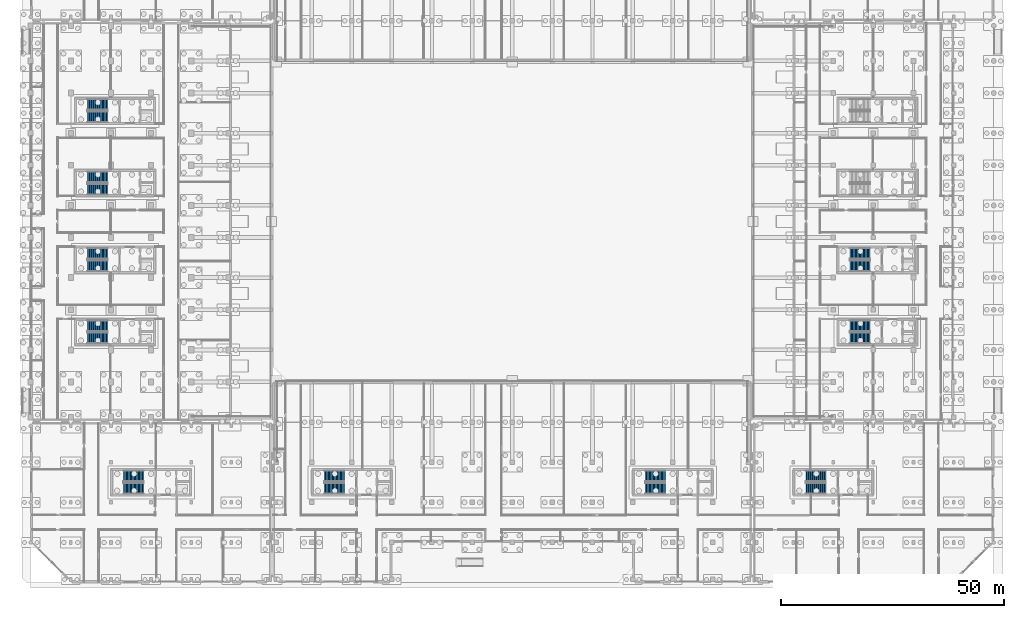
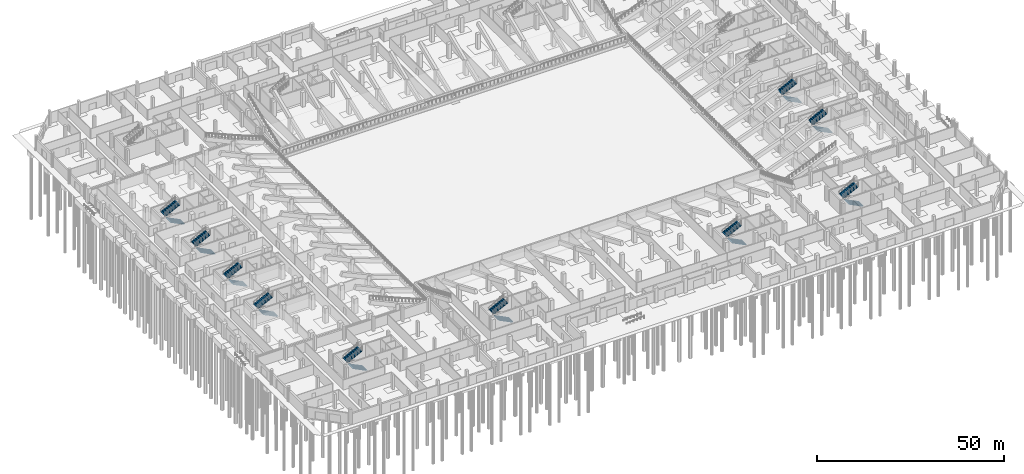
# One storey, part 40 of 53: 20 stair flights, 10 elements without a shape of their own.
"""IFC4 building model written with IfcOpenShell, lengths in metres."""

from ifc_helpers import new_model, si_unit, direction, frame, origin, place, context, subcontext, project, spatial, polyline, outline, extrude, material, type_object, element, aggregate, save


model = new_model("IFC4")

# Units and contexts
model_context = context("Model", 3, precision=1e-05, world=origin(), true_north=direction((0.0, 1.0)))
body_context = subcontext(model_context, "Body", "Model", "MODEL_VIEW")
ifc_project = project(units=[si_unit("LENGTHUNIT", "METRE"), si_unit("AREAUNIT", "SQUARE_METRE"), si_unit("VOLUMEUNIT", "CUBIC_METRE"), si_unit("PLANEANGLEUNIT", "RADIAN"), si_unit("MASSUNIT", "GRAM", prefix="KILO"), si_unit("THERMODYNAMICTEMPERATUREUNIT", "KELVIN"), si_unit("POWERUNIT", "WATT")], contexts=[model_context])

# Site, building, storey
site_placement = place(None, origin())
site = spatial("IfcSite", under=ifc_project, at=site_placement, CompositionType="ELEMENT")
building_placement = place(site_placement, origin())
building = spatial("IfcBuilding", under=site, at=building_placement, Name="Sindhuravela Promenade Stadium", CompositionType="ELEMENT")
storey_placement = place(building_placement, origin())
storey = spatial("IfcBuildingStorey", under=building, at=storey_placement, Name="L00", CompositionType="ELEMENT", Elevation=0.0)

# Stair, stair flights
ifc_material = material(Name="Concrete M40", Category="concrete")
stair_type = type_object("IfcStairType", Name="ST-CORE-DOGLEG", PredefinedType="HALF_TURN_STAIR", material=ifc_material)
stair_1_placement = place(storey_placement, origin())
stair_1 = element("IfcStair", 1, at=stair_1_placement, inside=storey, type_object=stair_type, Name="Protected escape stair ST01 (L00)", PredefinedType="HALF_TURN_STAIR")
stair_flight_type = type_object("IfcStairFlightType", Name="SF-CORE-2400", PredefinedType="STRAIGHT", material=ifc_material)
stair_flight_1_placement = place(storey_placement, frame((17.25, 54.7900390625, 0.0), z_axis=(0.0, 0.0, 1.0), x_axis=(-1.0, 0.0, 0.0)))
stair_flight_1 = element("IfcStairFlight", 2, at=stair_flight_1_placement, type_object=stair_flight_type, Name="Stair ST01 lower flight (L00)", NumberOfRisers=16, NumberOfTreads=15, PredefinedType="STRAIGHT", RiserHeight=0.15, TreadLength=0.3, context=body_context, shape_type="SweptSolid", body=[
    extrude(outline(polyline([(0.0, 0.0), (0.0, 0.14990234375), (0.300048828125, 0.14990234375), (0.300048828125, 0.300048828125), (0.60009765625, 0.300048828125), (0.60009765625, 0.449951171875), (0.89990234375, 0.449951171875), (0.89990234375, 0.60009765625), (1.199951171875, 0.60009765625), (1.199951171875, 0.75), (1.5, 0.75), (1.5, 0.89990234375), (1.800048828125, 0.89990234375), (1.800048828125, 1.050048828125), (2.10009765625, 1.050048828125), (2.10009765625, 1.199951171875), (2.39990234375, 1.199951171875), (2.39990234375, 1.35009765625), (2.699951171875, 1.35009765625), (2.699951171875, 1.5), (3.0, 1.5), (3.0, 1.64990234375), (3.300048828125, 1.64990234375), (3.300048828125, 1.800048828125), (3.60009765625, 1.800048828125), (3.60009765625, 1.949951171875), (3.89990234375, 1.949951171875), (3.89990234375, 2.10009765625), (4.199951171875, 2.10009765625), (4.199951171875, 2.25), (4.5, 2.25), (4.5, 2.39990234375), (4.5, 2.0263671875), (0.447021484375, 0.0), (0.0, 0.0)])), frame((0.0, 1.25, 0.0), z_axis=(0.0, -1.0, 0.0), x_axis=(1.0, 0.0, 0.0)), (0.0, 0.0, 1.0), 2.5),
])
stair_flight_2_placement = place(storey_placement, frame((12.75, 57.610107421875, 2.39990234375), z_axis=(0.0, 0.0, 1.0), x_axis=(1.0, 0.0, 0.0)))
stair_flight_2 = element("IfcStairFlight", 3, at=stair_flight_2_placement, type_object=stair_flight_type, Name="Stair ST01 upper flight (L00)", NumberOfRisers=16, NumberOfTreads=15, PredefinedType="STRAIGHT", RiserHeight=0.15, TreadLength=0.3, context=body_context, shape_type="SweptSolid", body=[
    extrude(outline(polyline([(0.0, 0.0), (0.0, 0.14990234375), (0.300048828125, 0.14990234375), (0.300048828125, 0.300048828125), (0.60009765625, 0.300048828125), (0.60009765625, 0.449951171875), (0.89990234375, 0.449951171875), (0.89990234375, 0.60009765625), (1.199951171875, 0.60009765625), (1.199951171875, 0.75), (1.5, 0.75), (1.5, 0.89990234375), (1.800048828125, 0.89990234375), (1.800048828125, 1.050048828125), (2.10009765625, 1.050048828125), (2.10009765625, 1.199951171875), (2.39990234375, 1.199951171875), (2.39990234375, 1.35009765625), (2.699951171875, 1.35009765625), (2.699951171875, 1.5), (3.0, 1.5), (3.0, 1.64990234375), (3.300048828125, 1.64990234375), (3.300048828125, 1.800048828125), (3.60009765625, 1.800048828125), (3.60009765625, 1.949951171875), (3.89990234375, 1.949951171875), (3.89990234375, 2.10009765625), (4.199951171875, 2.10009765625), (4.199951171875, 2.25), (4.5, 2.25), (4.5, 2.39990234375), (4.5, 2.0263671875), (0.447021484375, 0.0), (0.0, 0.0)])), frame((0.0, 1.25, 0.0), z_axis=(0.0, -1.0, 0.0), x_axis=(1.0, 0.0, 0.0)), (0.0, 0.0, 1.0), 2.5),
])
aggregate(stair_1, [stair_flight_1, stair_flight_2])

stair_2_placement = place(storey_placement, origin())
stair_2 = element("IfcStair", 4, at=stair_2_placement, inside=storey, type_object=stair_type, Name="Protected escape stair ST02 (L00)", PredefinedType="HALF_TURN_STAIR")
stair_flight_3_placement = place(storey_placement, frame((17.25, 70.989990234375, 0.0), z_axis=(0.0, 0.0, 1.0), x_axis=(-1.0, 0.0, 0.0)))
stair_flight_3 = element("IfcStairFlight", 5, at=stair_flight_3_placement, type_object=stair_flight_type, Name="Stair ST02 lower flight (L00)", NumberOfRisers=16, NumberOfTreads=15, PredefinedType="STRAIGHT", RiserHeight=0.15, TreadLength=0.3, context=body_context, shape_type="SweptSolid", body=[
    extrude(outline(polyline([(0.0, 0.0), (0.0, 0.14990234375), (0.300048828125, 0.14990234375), (0.300048828125, 0.300048828125), (0.60009765625, 0.300048828125), (0.60009765625, 0.449951171875), (0.89990234375, 0.449951171875), (0.89990234375, 0.60009765625), (1.199951171875, 0.60009765625), (1.199951171875, 0.75), (1.5, 0.75), (1.5, 0.89990234375), (1.800048828125, 0.89990234375), (1.800048828125, 1.050048828125), (2.10009765625, 1.050048828125), (2.10009765625, 1.199951171875), (2.39990234375, 1.199951171875), (2.39990234375, 1.35009765625), (2.699951171875, 1.35009765625), (2.699951171875, 1.5), (3.0, 1.5), (3.0, 1.64990234375), (3.300048828125, 1.64990234375), (3.300048828125, 1.800048828125), (3.60009765625, 1.800048828125), (3.60009765625, 1.949951171875), (3.89990234375, 1.949951171875), (3.89990234375, 2.10009765625), (4.199951171875, 2.10009765625), (4.199951171875, 2.25), (4.5, 2.25), (4.5, 2.39990234375), (4.5, 2.0263671875), (0.447021484375, 0.0), (0.0, 0.0)])), frame((0.0, 1.25, 0.0), z_axis=(0.0, -1.0, 0.0), x_axis=(1.0, 0.0, 0.0)), (0.0, 0.0, 1.0), 2.5),
])
stair_flight_4_placement = place(storey_placement, frame((12.75, 73.81005859375, 2.39990234375), z_axis=(0.0, 0.0, 1.0), x_axis=(1.0, 0.0, 0.0)))
stair_flight_4 = element("IfcStairFlight", 6, at=stair_flight_4_placement, type_object=stair_flight_type, Name="Stair ST02 upper flight (L00)", NumberOfRisers=16, NumberOfTreads=15, PredefinedType="STRAIGHT", RiserHeight=0.15, TreadLength=0.3, context=body_context, shape_type="SweptSolid", body=[
    extrude(outline(polyline([(0.0, 0.0), (0.0, 0.14990234375), (0.300048828125, 0.14990234375), (0.300048828125, 0.300048828125), (0.60009765625, 0.300048828125), (0.60009765625, 0.449951171875), (0.89990234375, 0.449951171875), (0.89990234375, 0.60009765625), (1.199951171875, 0.60009765625), (1.199951171875, 0.75), (1.5, 0.75), (1.5, 0.89990234375), (1.800048828125, 0.89990234375), (1.800048828125, 1.050048828125), (2.10009765625, 1.050048828125), (2.10009765625, 1.199951171875), (2.39990234375, 1.199951171875), (2.39990234375, 1.35009765625), (2.699951171875, 1.35009765625), (2.699951171875, 1.5), (3.0, 1.5), (3.0, 1.64990234375), (3.300048828125, 1.64990234375), (3.300048828125, 1.800048828125), (3.60009765625, 1.800048828125), (3.60009765625, 1.949951171875), (3.89990234375, 1.949951171875), (3.89990234375, 2.10009765625), (4.199951171875, 2.10009765625), (4.199951171875, 2.25), (4.5, 2.25), (4.5, 2.39990234375), (4.5, 2.0263671875), (0.447021484375, 0.0), (0.0, 0.0)])), frame((0.0, 1.25, 0.0), z_axis=(0.0, -1.0, 0.0), x_axis=(1.0, 0.0, 0.0)), (0.0, 0.0, 1.0), 2.5),
])
aggregate(stair_2, [stair_flight_3, stair_flight_4])

stair_3_placement = place(storey_placement, origin())
stair_3 = element("IfcStair", 7, at=stair_3_placement, inside=storey, type_object=stair_type, Name="Protected escape stair ST03 (L00)", PredefinedType="HALF_TURN_STAIR")
stair_flight_5_placement = place(storey_placement, frame((17.25, 88.18994140625, 0.0), z_axis=(0.0, 0.0, 1.0), x_axis=(-1.0, 0.0, 0.0)))
stair_flight_5 = element("IfcStairFlight", 8, at=stair_flight_5_placement, type_object=stair_flight_type, Name="Stair ST03 lower flight (L00)", NumberOfRisers=16, NumberOfTreads=15, PredefinedType="STRAIGHT", RiserHeight=0.15, TreadLength=0.3, context=body_context, shape_type="SweptSolid", body=[
    extrude(outline(polyline([(0.0, 0.0), (0.0, 0.14990234375), (0.300048828125, 0.14990234375), (0.300048828125, 0.300048828125), (0.60009765625, 0.300048828125), (0.60009765625, 0.449951171875), (0.89990234375, 0.449951171875), (0.89990234375, 0.60009765625), (1.199951171875, 0.60009765625), (1.199951171875, 0.75), (1.5, 0.75), (1.5, 0.89990234375), (1.800048828125, 0.89990234375), (1.800048828125, 1.050048828125), (2.10009765625, 1.050048828125), (2.10009765625, 1.199951171875), (2.39990234375, 1.199951171875), (2.39990234375, 1.35009765625), (2.699951171875, 1.35009765625), (2.699951171875, 1.5), (3.0, 1.5), (3.0, 1.64990234375), (3.300048828125, 1.64990234375), (3.300048828125, 1.800048828125), (3.60009765625, 1.800048828125), (3.60009765625, 1.949951171875), (3.89990234375, 1.949951171875), (3.89990234375, 2.10009765625), (4.199951171875, 2.10009765625), (4.199951171875, 2.25), (4.5, 2.25), (4.5, 2.39990234375), (4.5, 2.0263671875), (0.447021484375, 0.0), (0.0, 0.0)])), frame((0.0, 1.25, 0.0), z_axis=(0.0, -1.0, 0.0), x_axis=(1.0, 0.0, 0.0)), (0.0, 0.0, 1.0), 2.5),
])
stair_flight_6_placement = place(storey_placement, frame((12.75, 91.010009765625, 2.39990234375), z_axis=(0.0, 0.0, 1.0), x_axis=(1.0, 0.0, 0.0)))
stair_flight_6 = element("IfcStairFlight", 9, at=stair_flight_6_placement, type_object=stair_flight_type, Name="Stair ST03 upper flight (L00)", NumberOfRisers=16, NumberOfTreads=15, PredefinedType="STRAIGHT", RiserHeight=0.15, TreadLength=0.3, context=body_context, shape_type="SweptSolid", body=[
    extrude(outline(polyline([(0.0, 0.0), (0.0, 0.14990234375), (0.300048828125, 0.14990234375), (0.300048828125, 0.300048828125), (0.60009765625, 0.300048828125), (0.60009765625, 0.449951171875), (0.89990234375, 0.449951171875), (0.89990234375, 0.60009765625), (1.199951171875, 0.60009765625), (1.199951171875, 0.75), (1.5, 0.75), (1.5, 0.89990234375), (1.800048828125, 0.89990234375), (1.800048828125, 1.050048828125), (2.10009765625, 1.050048828125), (2.10009765625, 1.199951171875), (2.39990234375, 1.199951171875), (2.39990234375, 1.35009765625), (2.699951171875, 1.35009765625), (2.699951171875, 1.5), (3.0, 1.5), (3.0, 1.64990234375), (3.300048828125, 1.64990234375), (3.300048828125, 1.800048828125), (3.60009765625, 1.800048828125), (3.60009765625, 1.949951171875), (3.89990234375, 1.949951171875), (3.89990234375, 2.10009765625), (4.199951171875, 2.10009765625), (4.199951171875, 2.25), (4.5, 2.25), (4.5, 2.39990234375), (4.5, 2.0263671875), (0.447021484375, 0.0), (0.0, 0.0)])), frame((0.0, 1.25, 0.0), z_axis=(0.0, -1.0, 0.0), x_axis=(1.0, 0.0, 0.0)), (0.0, 0.0, 1.0), 2.5),
])
aggregate(stair_3, [stair_flight_5, stair_flight_6])

stair_4_placement = place(storey_placement, origin())
stair_4 = element("IfcStair", 10, at=stair_4_placement, inside=storey, type_object=stair_type, Name="Protected escape stair ST04 (L00)", PredefinedType="HALF_TURN_STAIR")
stair_flight_7_placement = place(storey_placement, frame((17.25, 104.389892578125, 0.0), z_axis=(0.0, 0.0, 1.0), x_axis=(-1.0, 0.0, 0.0)))
stair_flight_7 = element("IfcStairFlight", 11, at=stair_flight_7_placement, type_object=stair_flight_type, Name="Stair ST04 lower flight (L00)", NumberOfRisers=16, NumberOfTreads=15, PredefinedType="STRAIGHT", RiserHeight=0.15, TreadLength=0.3, context=body_context, shape_type="SweptSolid", body=[
    extrude(outline(polyline([(0.0, 0.0), (0.0, 0.14990234375), (0.300048828125, 0.14990234375), (0.300048828125, 0.300048828125), (0.60009765625, 0.300048828125), (0.60009765625, 0.449951171875), (0.89990234375, 0.449951171875), (0.89990234375, 0.60009765625), (1.199951171875, 0.60009765625), (1.199951171875, 0.75), (1.5, 0.75), (1.5, 0.89990234375), (1.800048828125, 0.89990234375), (1.800048828125, 1.050048828125), (2.10009765625, 1.050048828125), (2.10009765625, 1.199951171875), (2.39990234375, 1.199951171875), (2.39990234375, 1.35009765625), (2.699951171875, 1.35009765625), (2.699951171875, 1.5), (3.0, 1.5), (3.0, 1.64990234375), (3.300048828125, 1.64990234375), (3.300048828125, 1.800048828125), (3.60009765625, 1.800048828125), (3.60009765625, 1.949951171875), (3.89990234375, 1.949951171875), (3.89990234375, 2.10009765625), (4.199951171875, 2.10009765625), (4.199951171875, 2.25), (4.5, 2.25), (4.5, 2.39990234375), (4.5, 2.0263671875), (0.447021484375, 0.0), (0.0, 0.0)])), frame((0.0, 1.25, 0.0), z_axis=(0.0, -1.0, 0.0), x_axis=(1.0, 0.0, 0.0)), (0.0, 0.0, 1.0), 2.5),
])
stair_flight_8_placement = place(storey_placement, frame((12.75, 107.2099609375, 2.39990234375), z_axis=(0.0, 0.0, 1.0), x_axis=(1.0, 0.0, 0.0)))
stair_flight_8 = element("IfcStairFlight", 12, at=stair_flight_8_placement, type_object=stair_flight_type, Name="Stair ST04 upper flight (L00)", NumberOfRisers=16, NumberOfTreads=15, PredefinedType="STRAIGHT", RiserHeight=0.15, TreadLength=0.3, context=body_context, shape_type="SweptSolid", body=[
    extrude(outline(polyline([(0.0, 0.0), (0.0, 0.14990234375), (0.300048828125, 0.14990234375), (0.300048828125, 0.300048828125), (0.60009765625, 0.300048828125), (0.60009765625, 0.449951171875), (0.89990234375, 0.449951171875), (0.89990234375, 0.60009765625), (1.199951171875, 0.60009765625), (1.199951171875, 0.75), (1.5, 0.75), (1.5, 0.89990234375), (1.800048828125, 0.89990234375), (1.800048828125, 1.050048828125), (2.10009765625, 1.050048828125), (2.10009765625, 1.199951171875), (2.39990234375, 1.199951171875), (2.39990234375, 1.35009765625), (2.699951171875, 1.35009765625), (2.699951171875, 1.5), (3.0, 1.5), (3.0, 1.64990234375), (3.300048828125, 1.64990234375), (3.300048828125, 1.800048828125), (3.60009765625, 1.800048828125), (3.60009765625, 1.949951171875), (3.89990234375, 1.949951171875), (3.89990234375, 2.10009765625), (4.199951171875, 2.10009765625), (4.199951171875, 2.25), (4.5, 2.25), (4.5, 2.39990234375), (4.5, 2.0263671875), (0.447021484375, 0.0), (0.0, 0.0)])), frame((0.0, 1.25, 0.0), z_axis=(0.0, -1.0, 0.0), x_axis=(1.0, 0.0, 0.0)), (0.0, 0.0, 1.0), 2.5),
])
aggregate(stair_4, [stair_flight_7, stair_flight_8])

stair_5_placement = place(storey_placement, origin())
stair_5 = element("IfcStair", 13, at=stair_5_placement, inside=storey, type_object=stair_type, Name="Protected escape stair ST05 (L00)", PredefinedType="HALF_TURN_STAIR")
stair_flight_9_placement = place(storey_placement, frame((188.25, 54.7900390625, 0.0), z_axis=(0.0, 0.0, 1.0), x_axis=(-1.0, 0.0, 0.0)))
stair_flight_9 = element("IfcStairFlight", 14, at=stair_flight_9_placement, type_object=stair_flight_type, Name="Stair ST05 lower flight (L00)", NumberOfRisers=16, NumberOfTreads=15, PredefinedType="STRAIGHT", RiserHeight=0.15, TreadLength=0.3, context=body_context, shape_type="SweptSolid", body=[
    extrude(outline(polyline([(0.0, 0.0), (0.0, 0.14990234375), (0.300048828125, 0.14990234375), (0.300048828125, 0.300048828125), (0.60009765625, 0.300048828125), (0.60009765625, 0.449951171875), (0.89990234375, 0.449951171875), (0.89990234375, 0.60009765625), (1.199951171875, 0.60009765625), (1.199951171875, 0.75), (1.5, 0.75), (1.5, 0.89990234375), (1.800048828125, 0.89990234375), (1.800048828125, 1.050048828125), (2.10009765625, 1.050048828125), (2.10009765625, 1.199951171875), (2.39990234375, 1.199951171875), (2.39990234375, 1.35009765625), (2.699951171875, 1.35009765625), (2.699951171875, 1.5), (3.0, 1.5), (3.0, 1.64990234375), (3.300048828125, 1.64990234375), (3.300048828125, 1.800048828125), (3.60009765625, 1.800048828125), (3.60009765625, 1.949951171875), (3.89990234375, 1.949951171875), (3.89990234375, 2.10009765625), (4.199951171875, 2.10009765625), (4.199951171875, 2.25), (4.5, 2.25), (4.5, 2.39990234375), (4.5, 2.0263671875), (0.447021484375, 0.0), (0.0, 0.0)])), frame((0.0, 1.25, 0.0), z_axis=(0.0, -1.0, 0.0), x_axis=(1.0, 0.0, 0.0)), (0.0, 0.0, 1.0), 2.5),
])
stair_flight_10_placement = place(storey_placement, frame((183.75, 57.610107421875, 2.39990234375), z_axis=(0.0, 0.0, 1.0), x_axis=(1.0, 0.0, 0.0)))
stair_flight_10 = element("IfcStairFlight", 15, at=stair_flight_10_placement, type_object=stair_flight_type, Name="Stair ST05 upper flight (L00)", NumberOfRisers=16, NumberOfTreads=15, PredefinedType="STRAIGHT", RiserHeight=0.15, TreadLength=0.3, context=body_context, shape_type="SweptSolid", body=[
    extrude(outline(polyline([(0.0, 0.0), (0.0, 0.14990234375), (0.300048828125, 0.14990234375), (0.300048828125, 0.300048828125), (0.60009765625, 0.300048828125), (0.60009765625, 0.449951171875), (0.89990234375, 0.449951171875), (0.89990234375, 0.60009765625), (1.199951171875, 0.60009765625), (1.199951171875, 0.75), (1.5, 0.75), (1.5, 0.89990234375), (1.800048828125, 0.89990234375), (1.800048828125, 1.050048828125), (2.10009765625, 1.050048828125), (2.10009765625, 1.199951171875), (2.39990234375, 1.199951171875), (2.39990234375, 1.35009765625), (2.699951171875, 1.35009765625), (2.699951171875, 1.5), (3.0, 1.5), (3.0, 1.64990234375), (3.300048828125, 1.64990234375), (3.300048828125, 1.800048828125), (3.60009765625, 1.800048828125), (3.60009765625, 1.949951171875), (3.89990234375, 1.949951171875), (3.89990234375, 2.10009765625), (4.199951171875, 2.10009765625), (4.199951171875, 2.25), (4.5, 2.25), (4.5, 2.39990234375), (4.5, 2.0263671875), (0.447021484375, 0.0), (0.0, 0.0)])), frame((0.0, 1.25, 0.0), z_axis=(0.0, -1.0, 0.0), x_axis=(1.0, 0.0, 0.0)), (0.0, 0.0, 1.0), 2.5),
])
aggregate(stair_5, [stair_flight_9, stair_flight_10])

stair_6_placement = place(storey_placement, origin())
stair_6 = element("IfcStair", 16, at=stair_6_placement, inside=storey, type_object=stair_type, Name="Protected escape stair ST06 (L00)", PredefinedType="HALF_TURN_STAIR")
stair_flight_11_placement = place(storey_placement, frame((188.25, 70.989990234375, 0.0), z_axis=(0.0, 0.0, 1.0), x_axis=(-1.0, 0.0, 0.0)))
stair_flight_11 = element("IfcStairFlight", 17, at=stair_flight_11_placement, type_object=stair_flight_type, Name="Stair ST06 lower flight (L00)", NumberOfRisers=16, NumberOfTreads=15, PredefinedType="STRAIGHT", RiserHeight=0.15, TreadLength=0.3, context=body_context, shape_type="SweptSolid", body=[
    extrude(outline(polyline([(0.0, 0.0), (0.0, 0.14990234375), (0.300048828125, 0.14990234375), (0.300048828125, 0.300048828125), (0.60009765625, 0.300048828125), (0.60009765625, 0.449951171875), (0.89990234375, 0.449951171875), (0.89990234375, 0.60009765625), (1.199951171875, 0.60009765625), (1.199951171875, 0.75), (1.5, 0.75), (1.5, 0.89990234375), (1.800048828125, 0.89990234375), (1.800048828125, 1.050048828125), (2.10009765625, 1.050048828125), (2.10009765625, 1.199951171875), (2.39990234375, 1.199951171875), (2.39990234375, 1.35009765625), (2.699951171875, 1.35009765625), (2.699951171875, 1.5), (3.0, 1.5), (3.0, 1.64990234375), (3.300048828125, 1.64990234375), (3.300048828125, 1.800048828125), (3.60009765625, 1.800048828125), (3.60009765625, 1.949951171875), (3.89990234375, 1.949951171875), (3.89990234375, 2.10009765625), (4.199951171875, 2.10009765625), (4.199951171875, 2.25), (4.5, 2.25), (4.5, 2.39990234375), (4.5, 2.0263671875), (0.447021484375, 0.0), (0.0, 0.0)])), frame((0.0, 1.25, 0.0), z_axis=(0.0, -1.0, 0.0), x_axis=(1.0, 0.0, 0.0)), (0.0, 0.0, 1.0), 2.5),
])
stair_flight_12_placement = place(storey_placement, frame((183.75, 73.81005859375, 2.39990234375), z_axis=(0.0, 0.0, 1.0), x_axis=(1.0, 0.0, 0.0)))
stair_flight_12 = element("IfcStairFlight", 18, at=stair_flight_12_placement, type_object=stair_flight_type, Name="Stair ST06 upper flight (L00)", NumberOfRisers=16, NumberOfTreads=15, PredefinedType="STRAIGHT", RiserHeight=0.15, TreadLength=0.3, context=body_context, shape_type="SweptSolid", body=[
    extrude(outline(polyline([(0.0, 0.0), (0.0, 0.14990234375), (0.300048828125, 0.14990234375), (0.300048828125, 0.300048828125), (0.60009765625, 0.300048828125), (0.60009765625, 0.449951171875), (0.89990234375, 0.449951171875), (0.89990234375, 0.60009765625), (1.199951171875, 0.60009765625), (1.199951171875, 0.75), (1.5, 0.75), (1.5, 0.89990234375), (1.800048828125, 0.89990234375), (1.800048828125, 1.050048828125), (2.10009765625, 1.050048828125), (2.10009765625, 1.199951171875), (2.39990234375, 1.199951171875), (2.39990234375, 1.35009765625), (2.699951171875, 1.35009765625), (2.699951171875, 1.5), (3.0, 1.5), (3.0, 1.64990234375), (3.300048828125, 1.64990234375), (3.300048828125, 1.800048828125), (3.60009765625, 1.800048828125), (3.60009765625, 1.949951171875), (3.89990234375, 1.949951171875), (3.89990234375, 2.10009765625), (4.199951171875, 2.10009765625), (4.199951171875, 2.25), (4.5, 2.25), (4.5, 2.39990234375), (4.5, 2.0263671875), (0.447021484375, 0.0), (0.0, 0.0)])), frame((0.0, 1.25, 0.0), z_axis=(0.0, -1.0, 0.0), x_axis=(1.0, 0.0, 0.0)), (0.0, 0.0, 1.0), 2.5),
])
aggregate(stair_6, [stair_flight_11, stair_flight_12])

stair_7_placement = place(storey_placement, origin())
stair_7 = element("IfcStair", 19, at=stair_7_placement, inside=storey, type_object=stair_type, Name="Protected escape stair ST11 (L00)", PredefinedType="HALF_TURN_STAIR")
stair_flight_13_placement = place(storey_placement, frame((70.35009765625, 21.090087890625, 0.0), z_axis=(0.0, 0.0, 1.0), x_axis=(-1.0, 0.0, 0.0)))
stair_flight_13 = element("IfcStairFlight", 20, at=stair_flight_13_placement, type_object=stair_flight_type, Name="Stair ST11 lower flight (L00)", NumberOfRisers=16, NumberOfTreads=15, PredefinedType="STRAIGHT", RiserHeight=0.15, TreadLength=0.3, context=body_context, shape_type="SweptSolid", body=[
    extrude(outline(polyline([(0.0, 0.0), (0.0, 0.14990234375), (0.300048828125, 0.14990234375), (0.300048828125, 0.300048828125), (0.60009765625, 0.300048828125), (0.60009765625, 0.449951171875), (0.89990234375, 0.449951171875), (0.89990234375, 0.60009765625), (1.199951171875, 0.60009765625), (1.199951171875, 0.75), (1.5, 0.75), (1.5, 0.89990234375), (1.800048828125, 0.89990234375), (1.800048828125, 1.050048828125), (2.10009765625, 1.050048828125), (2.10009765625, 1.199951171875), (2.39990234375, 1.199951171875), (2.39990234375, 1.35009765625), (2.699951171875, 1.35009765625), (2.699951171875, 1.5), (3.0, 1.5), (3.0, 1.64990234375), (3.300048828125, 1.64990234375), (3.300048828125, 1.800048828125), (3.60009765625, 1.800048828125), (3.60009765625, 1.949951171875), (3.89990234375, 1.949951171875), (3.89990234375, 2.10009765625), (4.199951171875, 2.10009765625), (4.199951171875, 2.25), (4.5, 2.25), (4.5, 2.39990234375), (4.5, 2.0263671875), (0.447021484375, 0.0), (0.0, 0.0)])), frame((0.0, 1.25, 0.0), z_axis=(0.0, -1.0, 0.0), x_axis=(1.0, 0.0, 0.0)), (0.0, 0.0, 1.0), 2.5),
])
stair_flight_14_placement = place(storey_placement, frame((65.85009765625, 23.909912109375, 2.39990234375), z_axis=(0.0, 0.0, 1.0), x_axis=(1.0, 0.0, 0.0)))
stair_flight_14 = element("IfcStairFlight", 21, at=stair_flight_14_placement, type_object=stair_flight_type, Name="Stair ST11 upper flight (L00)", NumberOfRisers=16, NumberOfTreads=15, PredefinedType="STRAIGHT", RiserHeight=0.15, TreadLength=0.3, context=body_context, shape_type="SweptSolid", body=[
    extrude(outline(polyline([(0.0, 0.0), (0.0, 0.14990234375), (0.300048828125, 0.14990234375), (0.300048828125, 0.300048828125), (0.60009765625, 0.300048828125), (0.60009765625, 0.449951171875), (0.89990234375, 0.449951171875), (0.89990234375, 0.60009765625), (1.199951171875, 0.60009765625), (1.199951171875, 0.75), (1.5, 0.75), (1.5, 0.89990234375), (1.800048828125, 0.89990234375), (1.800048828125, 1.050048828125), (2.10009765625, 1.050048828125), (2.10009765625, 1.199951171875), (2.39990234375, 1.199951171875), (2.39990234375, 1.35009765625), (2.699951171875, 1.35009765625), (2.699951171875, 1.5), (3.0, 1.5), (3.0, 1.64990234375), (3.300048828125, 1.64990234375), (3.300048828125, 1.800048828125), (3.60009765625, 1.800048828125), (3.60009765625, 1.949951171875), (3.89990234375, 1.949951171875), (3.89990234375, 2.10009765625), (4.199951171875, 2.10009765625), (4.199951171875, 2.25), (4.5, 2.25), (4.5, 2.39990234375), (4.5, 2.0263671875), (0.447021484375, 0.0), (0.0, 0.0)])), frame((0.0, 1.25, 0.0), z_axis=(0.0, -1.0, 0.0), x_axis=(1.0, 0.0, 0.0)), (0.0, 0.0, 1.0), 2.5),
])
aggregate(stair_7, [stair_flight_13, stair_flight_14])

stair_8_placement = place(storey_placement, origin())
stair_8 = element("IfcStair", 22, at=stair_8_placement, inside=storey, type_object=stair_type, Name="Protected escape stair ST12 (L00)", PredefinedType="HALF_TURN_STAIR")
stair_flight_15_placement = place(storey_placement, frame((142.35009765625, 21.090087890625, 0.0), z_axis=(0.0, 0.0, 1.0), x_axis=(-1.0, 0.0, 0.0)))
stair_flight_15 = element("IfcStairFlight", 23, at=stair_flight_15_placement, type_object=stair_flight_type, Name="Stair ST12 lower flight (L00)", NumberOfRisers=16, NumberOfTreads=15, PredefinedType="STRAIGHT", RiserHeight=0.15, TreadLength=0.3, context=body_context, shape_type="SweptSolid", body=[
    extrude(outline(polyline([(0.0, 0.0), (0.0, 0.14990234375), (0.300048828125, 0.14990234375), (0.300048828125, 0.300048828125), (0.60009765625, 0.300048828125), (0.60009765625, 0.449951171875), (0.89990234375, 0.449951171875), (0.89990234375, 0.60009765625), (1.199951171875, 0.60009765625), (1.199951171875, 0.75), (1.5, 0.75), (1.5, 0.89990234375), (1.800048828125, 0.89990234375), (1.800048828125, 1.050048828125), (2.10009765625, 1.050048828125), (2.10009765625, 1.199951171875), (2.39990234375, 1.199951171875), (2.39990234375, 1.35009765625), (2.699951171875, 1.35009765625), (2.699951171875, 1.5), (3.0, 1.5), (3.0, 1.64990234375), (3.300048828125, 1.64990234375), (3.300048828125, 1.800048828125), (3.60009765625, 1.800048828125), (3.60009765625, 1.949951171875), (3.89990234375, 1.949951171875), (3.89990234375, 2.10009765625), (4.199951171875, 2.10009765625), (4.199951171875, 2.25), (4.5, 2.25), (4.5, 2.39990234375), (4.5, 2.0263671875), (0.447021484375, 0.0), (0.0, 0.0)])), frame((0.0, 1.25, 0.0), z_axis=(0.0, -1.0, 0.0), x_axis=(1.0, 0.0, 0.0)), (0.0, 0.0, 1.0), 2.5),
])
stair_flight_16_placement = place(storey_placement, frame((137.85009765625, 23.909912109375, 2.39990234375), z_axis=(0.0, 0.0, 1.0), x_axis=(1.0, 0.0, 0.0)))
stair_flight_16 = element("IfcStairFlight", 24, at=stair_flight_16_placement, type_object=stair_flight_type, Name="Stair ST12 upper flight (L00)", NumberOfRisers=16, NumberOfTreads=15, PredefinedType="STRAIGHT", RiserHeight=0.15, TreadLength=0.3, context=body_context, shape_type="SweptSolid", body=[
    extrude(outline(polyline([(0.0, 0.0), (0.0, 0.14990234375), (0.300048828125, 0.14990234375), (0.300048828125, 0.300048828125), (0.60009765625, 0.300048828125), (0.60009765625, 0.449951171875), (0.89990234375, 0.449951171875), (0.89990234375, 0.60009765625), (1.199951171875, 0.60009765625), (1.199951171875, 0.75), (1.5, 0.75), (1.5, 0.89990234375), (1.800048828125, 0.89990234375), (1.800048828125, 1.050048828125), (2.10009765625, 1.050048828125), (2.10009765625, 1.199951171875), (2.39990234375, 1.199951171875), (2.39990234375, 1.35009765625), (2.699951171875, 1.35009765625), (2.699951171875, 1.5), (3.0, 1.5), (3.0, 1.64990234375), (3.300048828125, 1.64990234375), (3.300048828125, 1.800048828125), (3.60009765625, 1.800048828125), (3.60009765625, 1.949951171875), (3.89990234375, 1.949951171875), (3.89990234375, 2.10009765625), (4.199951171875, 2.10009765625), (4.199951171875, 2.25), (4.5, 2.25), (4.5, 2.39990234375), (4.5, 2.0263671875), (0.447021484375, 0.0), (0.0, 0.0)])), frame((0.0, 1.25, 0.0), z_axis=(0.0, -1.0, 0.0), x_axis=(1.0, 0.0, 0.0)), (0.0, 0.0, 1.0), 2.5),
])
aggregate(stair_8, [stair_flight_15, stair_flight_16])

stair_9_placement = place(storey_placement, origin())
stair_9 = element("IfcStair", 25, at=stair_9_placement, inside=storey, type_object=stair_type, Name="Protected escape stair GS01 (L00)", PredefinedType="HALF_TURN_STAIR")
stair_flight_17_placement = place(storey_placement, frame((25.35009765625, 21.090087890625, 0.0), z_axis=(0.0, 0.0, 1.0), x_axis=(-1.0, 0.0, 0.0)))
stair_flight_17 = element("IfcStairFlight", 26, at=stair_flight_17_placement, type_object=stair_flight_type, Name="Stair GS01 lower flight (L00)", NumberOfRisers=16, NumberOfTreads=15, PredefinedType="STRAIGHT", RiserHeight=0.15, TreadLength=0.3, context=body_context, shape_type="SweptSolid", body=[
    extrude(outline(polyline([(0.0, 0.0), (0.0, 0.14990234375), (0.300048828125, 0.14990234375), (0.300048828125, 0.300048828125), (0.60009765625, 0.300048828125), (0.60009765625, 0.449951171875), (0.89990234375, 0.449951171875), (0.89990234375, 0.60009765625), (1.199951171875, 0.60009765625), (1.199951171875, 0.75), (1.5, 0.75), (1.5, 0.89990234375), (1.800048828125, 0.89990234375), (1.800048828125, 1.050048828125), (2.10009765625, 1.050048828125), (2.10009765625, 1.199951171875), (2.39990234375, 1.199951171875), (2.39990234375, 1.35009765625), (2.699951171875, 1.35009765625), (2.699951171875, 1.5), (3.0, 1.5), (3.0, 1.64990234375), (3.300048828125, 1.64990234375), (3.300048828125, 1.800048828125), (3.60009765625, 1.800048828125), (3.60009765625, 1.949951171875), (3.89990234375, 1.949951171875), (3.89990234375, 2.10009765625), (4.199951171875, 2.10009765625), (4.199951171875, 2.25), (4.5, 2.25), (4.5, 2.39990234375), (4.5, 2.0263671875), (0.447021484375, 0.0), (0.0, 0.0)])), frame((0.0, 1.25, 0.0), z_axis=(0.0, -1.0, 0.0), x_axis=(1.0, 0.0, 0.0)), (0.0, 0.0, 1.0), 2.5),
])
stair_flight_18_placement = place(storey_placement, frame((20.85009765625, 23.909912109375, 2.39990234375), z_axis=(0.0, 0.0, 1.0), x_axis=(1.0, 0.0, 0.0)))
stair_flight_18 = element("IfcStairFlight", 27, at=stair_flight_18_placement, type_object=stair_flight_type, Name="Stair GS01 upper flight (L00)", NumberOfRisers=16, NumberOfTreads=15, PredefinedType="STRAIGHT", RiserHeight=0.15, TreadLength=0.3, context=body_context, shape_type="SweptSolid", body=[
    extrude(outline(polyline([(0.0, 0.0), (0.0, 0.14990234375), (0.300048828125, 0.14990234375), (0.300048828125, 0.300048828125), (0.60009765625, 0.300048828125), (0.60009765625, 0.449951171875), (0.89990234375, 0.449951171875), (0.89990234375, 0.60009765625), (1.199951171875, 0.60009765625), (1.199951171875, 0.75), (1.5, 0.75), (1.5, 0.89990234375), (1.800048828125, 0.89990234375), (1.800048828125, 1.050048828125), (2.10009765625, 1.050048828125), (2.10009765625, 1.199951171875), (2.39990234375, 1.199951171875), (2.39990234375, 1.35009765625), (2.699951171875, 1.35009765625), (2.699951171875, 1.5), (3.0, 1.5), (3.0, 1.64990234375), (3.300048828125, 1.64990234375), (3.300048828125, 1.800048828125), (3.60009765625, 1.800048828125), (3.60009765625, 1.949951171875), (3.89990234375, 1.949951171875), (3.89990234375, 2.10009765625), (4.199951171875, 2.10009765625), (4.199951171875, 2.25), (4.5, 2.25), (4.5, 2.39990234375), (4.5, 2.0263671875), (0.447021484375, 0.0), (0.0, 0.0)])), frame((0.0, 1.25, 0.0), z_axis=(0.0, -1.0, 0.0), x_axis=(1.0, 0.0, 0.0)), (0.0, 0.0, 1.0), 2.5),
])
aggregate(stair_9, [stair_flight_17, stair_flight_18])

stair_10_placement = place(storey_placement, origin())
stair_10 = element("IfcStair", 28, at=stair_10_placement, inside=storey, type_object=stair_type, Name="Protected escape stair GS02 (L00)", PredefinedType="HALF_TURN_STAIR")
stair_flight_19_placement = place(storey_placement, frame((178.35009765625, 21.090087890625, 0.0), z_axis=(0.0, 0.0, 1.0), x_axis=(-1.0, 0.0, 0.0)))
stair_flight_19 = element("IfcStairFlight", 29, at=stair_flight_19_placement, type_object=stair_flight_type, Name="Stair GS02 lower flight (L00)", NumberOfRisers=16, NumberOfTreads=15, PredefinedType="STRAIGHT", RiserHeight=0.15, TreadLength=0.3, context=body_context, shape_type="SweptSolid", body=[
    extrude(outline(polyline([(0.0, 0.0), (0.0, 0.14990234375), (0.300048828125, 0.14990234375), (0.300048828125, 0.300048828125), (0.60009765625, 0.300048828125), (0.60009765625, 0.449951171875), (0.89990234375, 0.449951171875), (0.89990234375, 0.60009765625), (1.199951171875, 0.60009765625), (1.199951171875, 0.75), (1.5, 0.75), (1.5, 0.89990234375), (1.800048828125, 0.89990234375), (1.800048828125, 1.050048828125), (2.10009765625, 1.050048828125), (2.10009765625, 1.199951171875), (2.39990234375, 1.199951171875), (2.39990234375, 1.35009765625), (2.699951171875, 1.35009765625), (2.699951171875, 1.5), (3.0, 1.5), (3.0, 1.64990234375), (3.300048828125, 1.64990234375), (3.300048828125, 1.800048828125), (3.60009765625, 1.800048828125), (3.60009765625, 1.949951171875), (3.89990234375, 1.949951171875), (3.89990234375, 2.10009765625), (4.199951171875, 2.10009765625), (4.199951171875, 2.25), (4.5, 2.25), (4.5, 2.39990234375), (4.5, 2.0263671875), (0.447021484375, 0.0), (0.0, 0.0)])), frame((0.0, 1.25, 0.0), z_axis=(0.0, -1.0, 0.0), x_axis=(1.0, 0.0, 0.0)), (0.0, 0.0, 1.0), 2.5),
])
stair_flight_20_placement = place(storey_placement, frame((173.85009765625, 23.909912109375, 2.39990234375), z_axis=(0.0, 0.0, 1.0), x_axis=(1.0, 0.0, 0.0)))
stair_flight_20 = element("IfcStairFlight", 30, at=stair_flight_20_placement, type_object=stair_flight_type, Name="Stair GS02 upper flight (L00)", NumberOfRisers=16, NumberOfTreads=15, PredefinedType="STRAIGHT", RiserHeight=0.15, TreadLength=0.3, context=body_context, shape_type="SweptSolid", body=[
    extrude(outline(polyline([(0.0, 0.0), (0.0, 0.14990234375), (0.300048828125, 0.14990234375), (0.300048828125, 0.300048828125), (0.60009765625, 0.300048828125), (0.60009765625, 0.449951171875), (0.89990234375, 0.449951171875), (0.89990234375, 0.60009765625), (1.199951171875, 0.60009765625), (1.199951171875, 0.75), (1.5, 0.75), (1.5, 0.89990234375), (1.800048828125, 0.89990234375), (1.800048828125, 1.050048828125), (2.10009765625, 1.050048828125), (2.10009765625, 1.199951171875), (2.39990234375, 1.199951171875), (2.39990234375, 1.35009765625), (2.699951171875, 1.35009765625), (2.699951171875, 1.5), (3.0, 1.5), (3.0, 1.64990234375), (3.300048828125, 1.64990234375), (3.300048828125, 1.800048828125), (3.60009765625, 1.800048828125), (3.60009765625, 1.949951171875), (3.89990234375, 1.949951171875), (3.89990234375, 2.10009765625), (4.199951171875, 2.10009765625), (4.199951171875, 2.25), (4.5, 2.25), (4.5, 2.39990234375), (4.5, 2.0263671875), (0.447021484375, 0.0), (0.0, 0.0)])), frame((0.0, 1.25, 0.0), z_axis=(0.0, -1.0, 0.0), x_axis=(1.0, 0.0, 0.0)), (0.0, 0.0, 1.0), 2.5),
])
aggregate(stair_10, [stair_flight_19, stair_flight_20])

save(model, "model.ifc")
